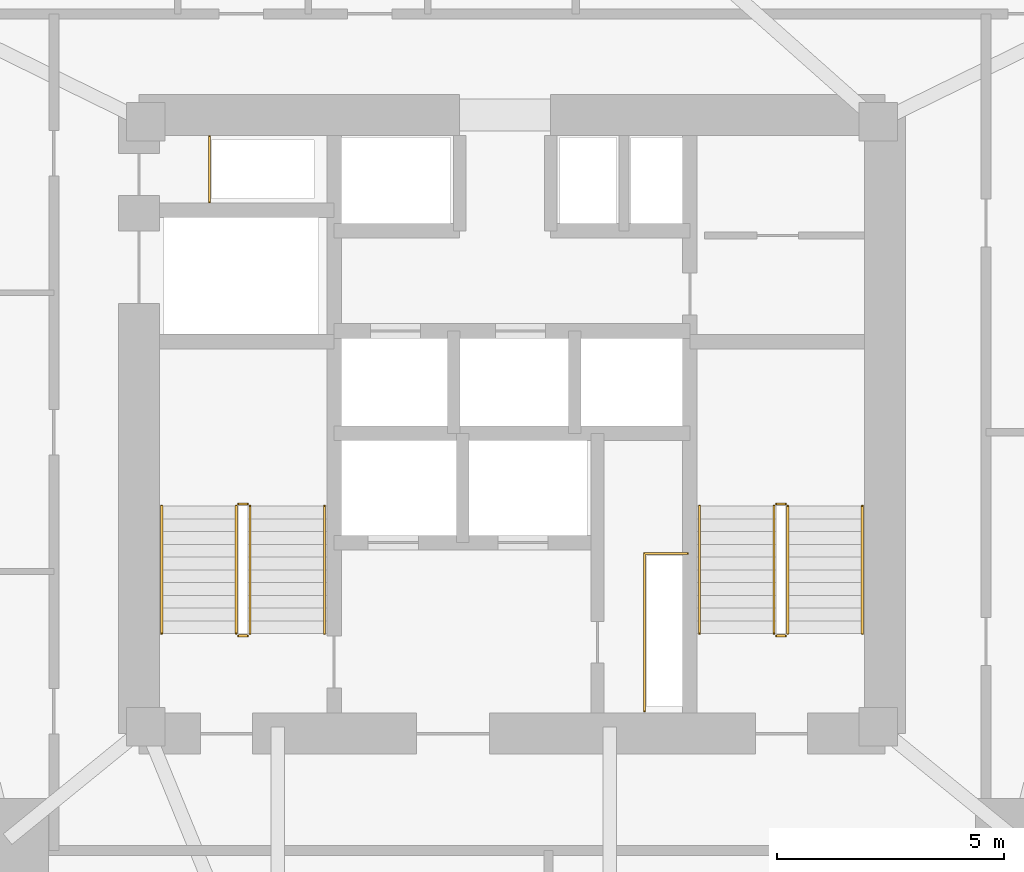
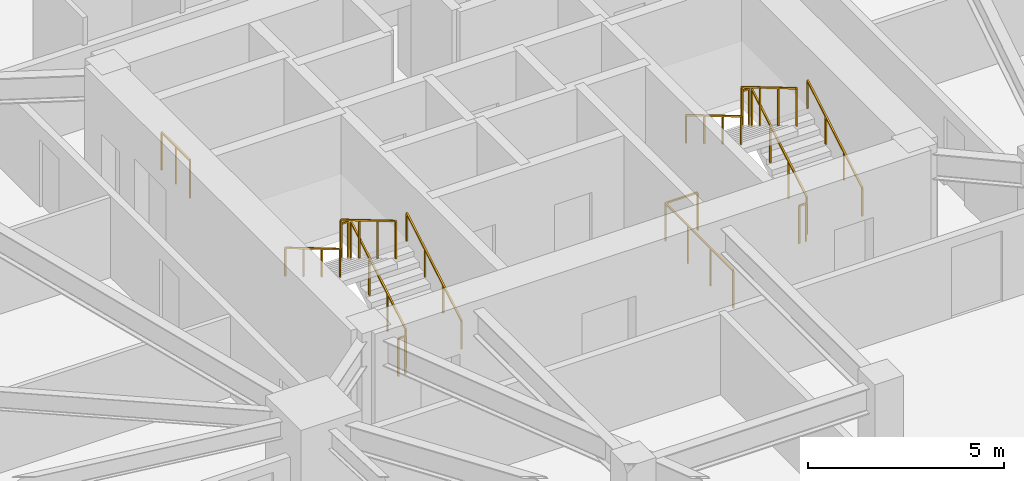
# One storey, part 20 of 20: 14 railings.
"""IFC4 building model written with IfcOpenShell, lengths in metres."""

from ifc_helpers import new_model, si_unit, direction, frame, origin, origin_2d, place, context, subcontext, project, spatial, rectangle, extrude, material, type_object, element, save


model = new_model("IFC4")

# Units and contexts
model_context = context("Model", 3, precision=1e-05, world=origin(), true_north=direction((0.0, 1.0)))
body_context = subcontext(model_context, "Body", "Model", "MODEL_VIEW")
ifc_project = project(units=[si_unit("LENGTHUNIT", "METRE"), si_unit("AREAUNIT", "SQUARE_METRE"), si_unit("VOLUMEUNIT", "CUBIC_METRE"), si_unit("PLANEANGLEUNIT", "RADIAN"), si_unit("MASSUNIT", "GRAM", prefix="KILO")], contexts=[model_context])

# Site, building, storey
site_placement = place(None, origin())
site = spatial("IfcSite", under=ifc_project, at=site_placement, CompositionType="ELEMENT")
building_placement = place(site_placement, origin())
building = spatial("IfcBuilding", under=site, at=building_placement, Name="Talyreon Biosciences Tower", CompositionType="ELEMENT")
storey_placement = place(building_placement, frame((0.0, 0.0, 59.300048828125)))
storey = spatial("IfcBuildingStorey", under=building, at=storey_placement, Name="L15", CompositionType="ELEMENT", Elevation=59.300048828125)

# Railings
ifc_material_1 = material(Name="Brushed stainless-steel tubular handrail", Category="steel")
railing_type_1 = type_object("IfcRailingType", Name="StairWallHandrail_900", PredefinedType="HANDRAIL", material=ifc_material_1)
railing_1_placement = place(storey_placement, frame((61.8798828125, 63.39990234375, 0.165771484375)))
element("IfcRailing", 1, at=railing_1_placement, inside=storey, type_object=railing_type_1, Name="L15 ST-1 stair handrail 1", PredefinedType="HANDRAIL", context=body_context, shape_type="SweptSolid", body=[
    extrude(rectangle(XDim=0.048095703125, YDim=0.048095703125, at=origin_2d()), frame((0.0, 0.0, 0.8759765625), z_axis=(0.0, 0.860306154799, 0.50977771628), x_axis=(-1.0, 0.0, 0.0)), (0.0, 0.0, 1.0), 3.254638671875),
    extrude(rectangle(XDim=0.0419921875, YDim=0.0419921875, at=origin_2d()), origin(), (0.0, 0.0, 1.0), 0.851806640625),
    extrude(rectangle(XDim=0.0419921875, YDim=0.0419921875, at=origin_2d()), frame((0.0, 0.933349609375, 0.552978515625)), (0.0, 0.0, 1.0), 0.851806640625),
    extrude(rectangle(XDim=0.0419921875, YDim=0.0419921875, at=origin_2d()), frame((0.0, 1.86669921875, 1.106201171875)), (0.0, 0.0, 1.0), 0.851806640625),
    extrude(rectangle(XDim=0.0419921875, YDim=0.0419921875, at=origin_2d()), frame((0.0, 2.800048828125, 1.6591796875)), (0.0, 0.0, 1.0), 0.851806640625),
])
railing_2_placement = place(storey_placement, frame((58.300048828125, 66.199951171875, 1.990966796875)))
element("IfcRailing", 2, at=railing_2_placement, inside=storey, type_object=railing_type_1, Name="L15 ST-1 stair handrail 2", PredefinedType="HANDRAIL", context=body_context, shape_type="SweptSolid", body=[
    extrude(rectangle(XDim=0.048095703125, YDim=0.048095703125, at=origin_2d()), frame((0.0, 0.0, 0.8759765625), z_axis=(0.0, -0.860339051648, 0.50972219513), x_axis=(1.0, 0.0, 0.0)), (0.0, 0.0, 1.0), 3.254638671875),
    extrude(rectangle(XDim=0.0419921875, YDim=0.0419921875, at=origin_2d()), origin(), (0.0, 0.0, 1.0), 0.851806640625),
    extrude(rectangle(XDim=0.0419921875, YDim=0.0419921875, at=origin_2d()), frame((0.0, -0.933349609375, 0.552978515625)), (0.0, 0.0, 1.0), 0.851806640625),
    extrude(rectangle(XDim=0.0419921875, YDim=0.0419921875, at=origin_2d()), frame((0.0, -1.86669921875, 1.10595703125)), (0.0, 0.0, 1.0), 0.851806640625),
    extrude(rectangle(XDim=0.0419921875, YDim=0.0419921875, at=origin_2d()), frame((0.0, -2.800048828125, 1.658935546875)), (0.0, 0.0, 1.0), 0.851806640625),
])
railing_3_placement = place(storey_placement, frame((73.699951171875, 63.39990234375, 0.165771484375)))
element("IfcRailing", 3, at=railing_3_placement, inside=storey, type_object=railing_type_1, Name="L15 ST-2 stair handrail 1", PredefinedType="HANDRAIL", context=body_context, shape_type="SweptSolid", body=[
    extrude(rectangle(XDim=0.048095703125, YDim=0.048095703125, at=origin_2d()), frame((0.0, 0.0, 0.8759765625), z_axis=(0.0, 0.860306154799, 0.50977771628), x_axis=(-1.0, 0.0, 0.0)), (0.0, 0.0, 1.0), 3.254638671875),
    extrude(rectangle(XDim=0.0419921875, YDim=0.0419921875, at=origin_2d()), origin(), (0.0, 0.0, 1.0), 0.851806640625),
    extrude(rectangle(XDim=0.0419921875, YDim=0.0419921875, at=origin_2d()), frame((0.0, 0.933349609375, 0.552978515625)), (0.0, 0.0, 1.0), 0.851806640625),
    extrude(rectangle(XDim=0.0419921875, YDim=0.0419921875, at=origin_2d()), frame((0.0, 1.86669921875, 1.106201171875)), (0.0, 0.0, 1.0), 0.851806640625),
    extrude(rectangle(XDim=0.0419921875, YDim=0.0419921875, at=origin_2d()), frame((0.0, 2.800048828125, 1.6591796875)), (0.0, 0.0, 1.0), 0.851806640625),
])
railing_4_placement = place(storey_placement, frame((70.1201171875, 66.199951171875, 1.990966796875)))
element("IfcRailing", 4, at=railing_4_placement, inside=storey, type_object=railing_type_1, Name="L15 ST-2 stair handrail 2", PredefinedType="HANDRAIL", context=body_context, shape_type="SweptSolid", body=[
    extrude(rectangle(XDim=0.048095703125, YDim=0.048095703125, at=origin_2d()), frame((0.0, 0.0, 0.8759765625), z_axis=(0.0, -0.860339051648, 0.50972219513), x_axis=(1.0, 0.0, 0.0)), (0.0, 0.0, 1.0), 3.254638671875),
    extrude(rectangle(XDim=0.0419921875, YDim=0.0419921875, at=origin_2d()), origin(), (0.0, 0.0, 1.0), 0.851806640625),
    extrude(rectangle(XDim=0.0419921875, YDim=0.0419921875, at=origin_2d()), frame((0.0, -0.933349609375, 0.552978515625)), (0.0, 0.0, 1.0), 0.851806640625),
    extrude(rectangle(XDim=0.0419921875, YDim=0.0419921875, at=origin_2d()), frame((0.0, -1.86669921875, 1.10595703125)), (0.0, 0.0, 1.0), 0.851806640625),
    extrude(rectangle(XDim=0.0419921875, YDim=0.0419921875, at=origin_2d()), frame((0.0, -2.800048828125, 1.658935546875)), (0.0, 0.0, 1.0), 0.851806640625),
])
ifc_material_2 = material(Name="Painted galvanised steel post-and-rail balustrade", Category="steel")
railing_type_2 = type_object("IfcRailingType", Name="TerraceStairGuard_1200", PredefinedType="GUARDRAIL", material=ifc_material_2)
railing_5_placement = place(storey_placement, frame((60.239990234375, 63.39990234375, 0.165771484375)))
element("IfcRailing", 5, at=railing_5_placement, inside=storey, type_object=railing_type_2, Name="L15 ST-1 stair guard 1", PredefinedType="GUARDRAIL", context=body_context, shape_type="SweptSolid", body=[
    extrude(rectangle(XDim=0.048095703125, YDim=0.048095703125, at=origin_2d()), frame((0.0, 0.0, 1.17578125), z_axis=(0.0, 0.860306154799, 0.50977771628), x_axis=(-1.0, 0.0, 0.0)), (0.0, 0.0, 1.0), 3.254638671875),
    extrude(rectangle(XDim=0.0419921875, YDim=0.0419921875, at=origin_2d()), origin(), (0.0, 0.0, 1.0), 1.15185546875),
    extrude(rectangle(XDim=0.0419921875, YDim=0.0419921875, at=origin_2d()), frame((0.0, 0.933349609375, 0.552978515625)), (0.0, 0.0, 1.0), 1.15185546875),
    extrude(rectangle(XDim=0.0419921875, YDim=0.0419921875, at=origin_2d()), frame((0.0, 1.86669921875, 1.106201171875)), (0.0, 0.0, 1.0), 1.15185546875),
    extrude(rectangle(XDim=0.0419921875, YDim=0.0419921875, at=origin_2d()), frame((0.0, 2.800048828125, 1.6591796875)), (0.0, 0.0, 1.0), 1.15185546875),
])
railing_6_placement = place(storey_placement, frame((60.18994140625, 66.25, 1.824951171875)))
element("IfcRailing", 6, at=railing_6_placement, inside=storey, type_object=railing_type_2, Name="L15 ST-1 stair guard 2", PredefinedType="GUARDRAIL", context=body_context, shape_type="SweptSolid", body=[
    extrude(rectangle(XDim=0.048095703125, YDim=0.048095703125, at=origin_2d()), frame((0.0, 0.0, 1.17578125), z_axis=(-1.0, 0.0, 0.0), x_axis=(0.0, -1.0, 0.0)), (0.0, 0.0, 1.0), 0.199951171875),
    extrude(rectangle(XDim=0.0419921875, YDim=0.0419921875, at=origin_2d()), origin(), (0.0, 0.0, 1.0), 1.15185546875),
    extrude(rectangle(XDim=0.0419921875, YDim=0.0419921875, at=origin_2d()), frame((-0.199951171875, 0.0, 0.0)), (0.0, 0.0, 1.0), 1.15185546875),
])
railing_7_placement = place(storey_placement, frame((59.93994140625, 66.199951171875, 1.990966796875)))
element("IfcRailing", 7, at=railing_7_placement, inside=storey, type_object=railing_type_2, Name="L15 ST-1 stair guard 3", PredefinedType="GUARDRAIL", context=body_context, shape_type="SweptSolid", body=[
    extrude(rectangle(XDim=0.048095703125, YDim=0.048095703125, at=origin_2d()), frame((0.0, 0.0, 1.17578125), z_axis=(0.0, -0.860339051648, 0.50972219513), x_axis=(1.0, 0.0, 0.0)), (0.0, 0.0, 1.0), 3.254638671875),
    extrude(rectangle(XDim=0.0419921875, YDim=0.0419921875, at=origin_2d()), origin(), (0.0, 0.0, 1.0), 1.15185546875),
    extrude(rectangle(XDim=0.0419921875, YDim=0.0419921875, at=origin_2d()), frame((0.0, -0.933349609375, 0.552978515625)), (0.0, 0.0, 1.0), 1.15185546875),
    extrude(rectangle(XDim=0.0419921875, YDim=0.0419921875, at=origin_2d()), frame((0.0, -1.86669921875, 1.10595703125)), (0.0, 0.0, 1.0), 1.15185546875),
    extrude(rectangle(XDim=0.0419921875, YDim=0.0419921875, at=origin_2d()), frame((0.0, -2.800048828125, 1.658935546875)), (0.0, 0.0, 1.0), 1.15185546875),
])
railing_8_placement = place(storey_placement, frame((60.18994140625, 63.35009765625, 0.0)))
element("IfcRailing", 8, at=railing_8_placement, inside=storey, type_object=railing_type_2, Name="L15 ST-1 stair guard 4", PredefinedType="GUARDRAIL", context=body_context, shape_type="SweptSolid", body=[
    extrude(rectangle(XDim=0.048095703125, YDim=0.048095703125, at=origin_2d()), frame((0.0, 0.0, 1.17578125), z_axis=(-1.0, 0.0, 0.0), x_axis=(0.0, -1.0, 0.0)), (0.0, 0.0, 1.0), 0.199951171875),
    extrude(rectangle(XDim=0.0419921875, YDim=0.0419921875, at=origin_2d()), origin(), (0.0, 0.0, 1.0), 1.15185546875),
    extrude(rectangle(XDim=0.0419921875, YDim=0.0419921875, at=origin_2d()), frame((-0.199951171875, 0.0, 0.0)), (0.0, 0.0, 1.0), 1.15185546875),
])
railing_9_placement = place(storey_placement, frame((72.06005859375, 63.39990234375, 0.165771484375)))
element("IfcRailing", 9, at=railing_9_placement, inside=storey, type_object=railing_type_2, Name="L15 ST-2 stair guard 1", PredefinedType="GUARDRAIL", context=body_context, shape_type="SweptSolid", body=[
    extrude(rectangle(XDim=0.048095703125, YDim=0.048095703125, at=origin_2d()), frame((0.0, 0.0, 1.17578125), z_axis=(0.0, 0.860306154799, 0.50977771628), x_axis=(-1.0, 0.0, 0.0)), (0.0, 0.0, 1.0), 3.254638671875),
    extrude(rectangle(XDim=0.0419921875, YDim=0.0419921875, at=origin_2d()), origin(), (0.0, 0.0, 1.0), 1.15185546875),
    extrude(rectangle(XDim=0.0419921875, YDim=0.0419921875, at=origin_2d()), frame((0.0, 0.933349609375, 0.552978515625)), (0.0, 0.0, 1.0), 1.15185546875),
    extrude(rectangle(XDim=0.0419921875, YDim=0.0419921875, at=origin_2d()), frame((0.0, 1.86669921875, 1.106201171875)), (0.0, 0.0, 1.0), 1.15185546875),
    extrude(rectangle(XDim=0.0419921875, YDim=0.0419921875, at=origin_2d()), frame((0.0, 2.800048828125, 1.6591796875)), (0.0, 0.0, 1.0), 1.15185546875),
])
railing_10_placement = place(storey_placement, frame((72.010009765625, 66.25, 1.824951171875)))
element("IfcRailing", 10, at=railing_10_placement, inside=storey, type_object=railing_type_2, Name="L15 ST-2 stair guard 2", PredefinedType="GUARDRAIL", context=body_context, shape_type="SweptSolid", body=[
    extrude(rectangle(XDim=0.048095703125, YDim=0.048095703125, at=origin_2d()), frame((0.0, 0.0, 1.17578125), z_axis=(-1.0, 0.0, 0.0), x_axis=(0.0, -1.0, 0.0)), (0.0, 0.0, 1.0), 0.199951171875),
    extrude(rectangle(XDim=0.0419921875, YDim=0.0419921875, at=origin_2d()), origin(), (0.0, 0.0, 1.0), 1.15185546875),
    extrude(rectangle(XDim=0.0419921875, YDim=0.0419921875, at=origin_2d()), frame((-0.199951171875, 0.0, 0.0)), (0.0, 0.0, 1.0), 1.15185546875),
])
railing_11_placement = place(storey_placement, frame((71.760009765625, 66.199951171875, 1.990966796875)))
element("IfcRailing", 11, at=railing_11_placement, inside=storey, type_object=railing_type_2, Name="L15 ST-2 stair guard 3", PredefinedType="GUARDRAIL", context=body_context, shape_type="SweptSolid", body=[
    extrude(rectangle(XDim=0.048095703125, YDim=0.048095703125, at=origin_2d()), frame((0.0, 0.0, 1.17578125), z_axis=(0.0, -0.860339051648, 0.50972219513), x_axis=(1.0, 0.0, 0.0)), (0.0, 0.0, 1.0), 3.254638671875),
    extrude(rectangle(XDim=0.0419921875, YDim=0.0419921875, at=origin_2d()), origin(), (0.0, 0.0, 1.0), 1.15185546875),
    extrude(rectangle(XDim=0.0419921875, YDim=0.0419921875, at=origin_2d()), frame((0.0, -0.933349609375, 0.552978515625)), (0.0, 0.0, 1.0), 1.15185546875),
    extrude(rectangle(XDim=0.0419921875, YDim=0.0419921875, at=origin_2d()), frame((0.0, -1.86669921875, 1.10595703125)), (0.0, 0.0, 1.0), 1.15185546875),
    extrude(rectangle(XDim=0.0419921875, YDim=0.0419921875, at=origin_2d()), frame((0.0, -2.800048828125, 1.658935546875)), (0.0, 0.0, 1.0), 1.15185546875),
])
railing_12_placement = place(storey_placement, frame((72.010009765625, 63.35009765625, 0.0)))
element("IfcRailing", 12, at=railing_12_placement, inside=storey, type_object=railing_type_2, Name="L15 ST-2 stair guard 4", PredefinedType="GUARDRAIL", context=body_context, shape_type="SweptSolid", body=[
    extrude(rectangle(XDim=0.048095703125, YDim=0.048095703125, at=origin_2d()), frame((0.0, 0.0, 1.17578125), z_axis=(-1.0, 0.0, 0.0), x_axis=(0.0, -1.0, 0.0)), (0.0, 0.0, 1.0), 0.199951171875),
    extrude(rectangle(XDim=0.0419921875, YDim=0.0419921875, at=origin_2d()), origin(), (0.0, 0.0, 1.0), 1.15185546875),
    extrude(rectangle(XDim=0.0419921875, YDim=0.0419921875, at=origin_2d()), frame((-0.199951171875, 0.0, 0.0)), (0.0, 0.0, 1.0), 1.15185546875),
])
railing_13_placement = place(storey_placement, frame((59.35009765625, 72.8798828125, 0.0)))
element("IfcRailing", 13, at=railing_13_placement, inside=storey, type_object=railing_type_2, Name="L15 Exhaust Riser Maintenance Guardrail", PredefinedType="GUARDRAIL", context=body_context, shape_type="SweptSolid", body=[
    extrude(rectangle(XDim=0.048095703125, YDim=0.048095703125, at=origin_2d()), frame((0.0, 0.0, 1.17578125), z_axis=(0.0, 1.0, 0.0), x_axis=(-1.0, 0.0, 0.0)), (0.0, 0.0, 1.0), 1.4501953125),
    extrude(rectangle(XDim=0.0419921875, YDim=0.0419921875, at=origin_2d()), origin(), (0.0, 0.0, 1.0), 1.15185546875),
    extrude(rectangle(XDim=0.0419921875, YDim=0.0419921875, at=origin_2d()), frame((0.0, 0.72509765625, 0.0)), (0.0, 0.0, 1.0), 1.15185546875),
    extrude(rectangle(XDim=0.0419921875, YDim=0.0419921875, at=origin_2d()), frame((0.0, 1.4501953125, 0.0)), (0.0, 0.0, 1.0), 1.15185546875),
])
railing_14_placement = place(storey_placement, frame((68.909912109375, 61.699951171875, 0.0)))
element("IfcRailing", 14, at=railing_14_placement, inside=storey, type_object=railing_type_2, Name="L15 Electrical Riser Maintenance Guardrail", PredefinedType="GUARDRAIL", context=body_context, shape_type="SweptSolid", body=[
    extrude(rectangle(XDim=0.048095703125, YDim=0.048095703125, at=origin_2d()), frame((0.0, 0.0, 1.17578125), z_axis=(0.0, 1.0, 0.0), x_axis=(-1.0, 0.0, 0.0)), (0.0, 0.0, 1.0), 3.4599609375),
    extrude(rectangle(XDim=0.048095703125, YDim=0.048095703125, at=origin_2d()), frame((0.0, 3.4599609375, 1.17578125), z_axis=(1.0, 0.0, 0.0), x_axis=(0.0, 1.0, 0.0)), (0.0, 0.0, 1.0), 0.9501953125),
    extrude(rectangle(XDim=0.0419921875, YDim=0.0419921875, at=origin_2d()), origin(), (0.0, 0.0, 1.0), 1.15185546875),
    extrude(rectangle(XDim=0.0419921875, YDim=0.0419921875, at=origin_2d()), frame((0.0, 1.1533203125, 0.0)), (0.0, 0.0, 1.0), 1.15185546875),
    extrude(rectangle(XDim=0.0419921875, YDim=0.0419921875, at=origin_2d()), frame((0.0, 2.306640625, 0.0)), (0.0, 0.0, 1.0), 1.15185546875),
    extrude(rectangle(XDim=0.0419921875, YDim=0.0419921875, at=origin_2d()), frame((0.0, 3.4599609375, 0.0)), (0.0, 0.0, 1.0), 1.15185546875),
    extrude(rectangle(XDim=0.0419921875, YDim=0.0419921875, at=origin_2d()), frame((0.9501953125, 3.4599609375, 0.0)), (0.0, 0.0, 1.0), 1.15185546875),
])

save(model, "model.ifc")
